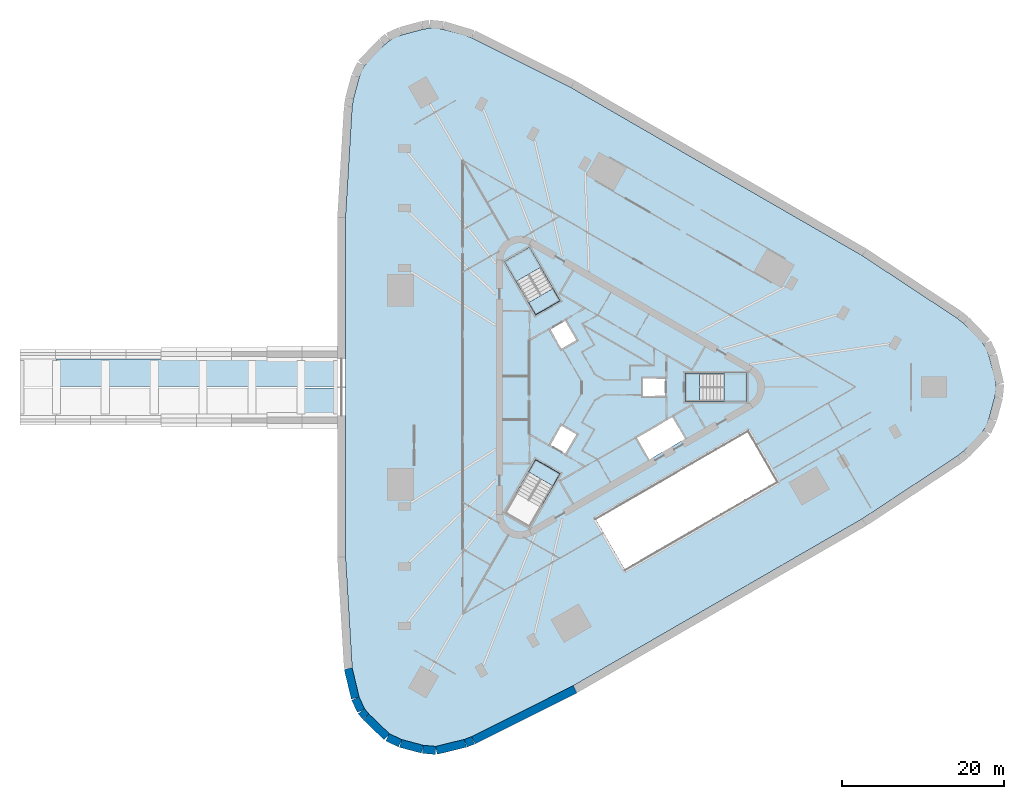
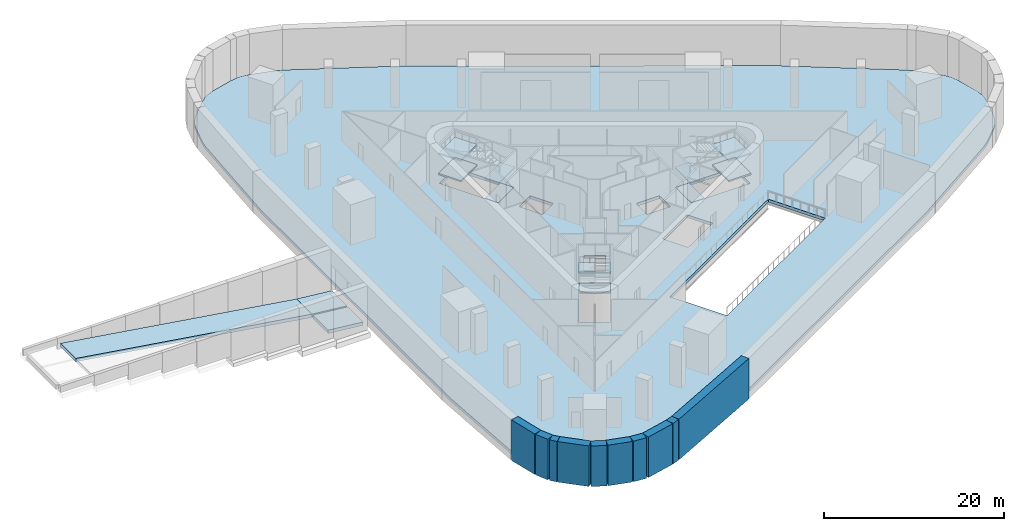
# One storey, part 2 of 13: 14 slabs, 10 walls, 3 elements without a shape of their own.
"""IFC4 building model written with IfcOpenShell, lengths in metres."""

import ifcopenshell
import ifcopenshell.guid

model = None  # the IFC model being written
_history = None  # IfcOwnerHistory: only IFC2X3 demands one
_inside = {}  # id of a spatial element -> (the spatial element, [elements in it])
_under = {}  # id of a project, library or spatial element -> (it, [spatial elements below it])
_declared = {}  # id of a project -> (the project, [libraries it declares])
_typed = {}  # id of a type object -> (the type object, [elements of that type])
_made_of = {}  # id of a material, layer set ... -> (it, [elements and type objects made of it])


def new_model(schema):
    """Start an empty IFC model of exactly this schema.

    Asked for "IFC4X3", IfcOpenShell would pick the latest addendum, in which some entities
    have other attributes; the version numbers below select the first issue.
    IFC2X3 requires an IfcOwnerHistory on every rooted entity: one is made here for all.
    """
    global model, _history
    if schema == "IFC4X3":
        model = ifcopenshell.file(schema_version=(4, 3, 0, 0))
    else:
        model = ifcopenshell.file(schema=schema)
    _inside.clear()
    _under.clear()
    _declared.clear()
    _typed.clear()
    _made_of.clear()
    _history = None
    if model.schema == "IFC2X3":
        org = make("IfcOrganization", Name="unknown")
        user = make(
            "IfcPersonAndOrganization",
            ThePerson=make("IfcPerson", FamilyName="unknown"),
            TheOrganization=org,
        )
        app = make(
            "IfcApplication",
            ApplicationDeveloper=org,
            Version="unknown",
            ApplicationFullName="unknown",
            ApplicationIdentifier="unknown",
        )
        _history = make(
            "IfcOwnerHistory",
            OwningUser=user,
            OwningApplication=app,
            ChangeAction="ADDED",
            CreationDate=0,
        )
    return model


def make(cls, **values):
    """One entity of the class cls with the attributes given. An attribute that is None is left unset."""
    return model.create_entity(
        cls, **{name: value for name, value in values.items() if value is not None}
    )


def rooted(cls, **values):
    """An entity with a GlobalId (a new one), such as an element, a storey or a relation."""
    return make(cls, GlobalId=ifcopenshell.guid.new(), OwnerHistory=_history, **values)


def si_unit(unit_type, name, prefix=None):
    """IfcSIUnit, for example si_unit("LENGTHUNIT", "METRE", prefix="MILLI")."""
    return make("IfcSIUnit", UnitType=unit_type, Prefix=prefix, Name=name)


def assignment(units):
    """IfcUnitAssignment: the units of a project."""
    return None if units is None else make("IfcUnitAssignment", Units=units)


def point(xyz):
    """IfcCartesianPoint."""
    return None if xyz is None else make("IfcCartesianPoint", Coordinates=xyz)


def direction(xyz):
    """IfcDirection."""
    return None if xyz is None else make("IfcDirection", DirectionRatios=xyz)


def frame(location, z_axis=None, x_axis=None):
    """IfcAxis2Placement3D, a coordinate frame: its origin and axes. An axis left out is left unset."""
    return make(
        "IfcAxis2Placement3D",
        Location=point(location),
        Axis=direction(z_axis),
        RefDirection=direction(x_axis),
    )


def frame_2d(location, x_axis=None):
    """IfcAxis2Placement2D, a coordinate frame in the plane: its origin and x axis."""
    return make(
        "IfcAxis2Placement2D", Location=point(location), RefDirection=direction(x_axis)
    )


def origin():
    """The frame at (0, 0, 0) with its axes left unset."""
    return frame((0.0, 0.0, 0.0))


def place(relative_to, where):
    """IfcLocalPlacement: puts the frame where relative to a parent placement (None: the world)."""
    return make(
        "IfcLocalPlacement", PlacementRelTo=relative_to, RelativePlacement=where
    )


def context(
    kind, dimensions, precision=None, world=None, true_north=None, identifier=None
):
    """IfcGeometricRepresentationContext, for example the 3D "Model" context."""
    return make(
        "IfcGeometricRepresentationContext",
        ContextIdentifier=identifier,
        ContextType=kind,
        CoordinateSpaceDimension=dimensions,
        Precision=precision,
        WorldCoordinateSystem=world,
        TrueNorth=true_north,
    )


def subcontext(parent, identifier, kind, view, scale=None):
    """IfcGeometricRepresentationSubContext, for example "Body" below "Model"."""
    return make(
        "IfcGeometricRepresentationSubContext",
        ContextIdentifier=identifier,
        ContextType=kind,
        ParentContext=parent,
        TargetScale=scale,
        TargetView=view,
    )


def project(units=None, contexts=None):
    """IfcProject with its units and contexts."""
    return rooted(
        "IfcProject",
        Name="project",
        RepresentationContexts=contexts,
        UnitsInContext=assignment(units),
    )


def spatial(cls, under=None, at=None, **own):
    """A site, building, storey or space (cls), placed at a placement, below another one or the project."""
    s = rooted(cls, ObjectPlacement=at, **own)
    if under is not None:
        _under.setdefault(under.id(), (under, []))[1].append(s)
    return s


def polyline(points):
    """IfcPolyline through the points."""
    return make("IfcPolyline", Points=[point(p) for p in points])


def profile(cls, at=None, kind="AREA", **sizes):
    """A parametric profile (cls). Its sizes go by their IFC names, for example OverallWidth=200.0."""
    return make(cls, ProfileType=kind, Position=at, **sizes)


def rectangle(**sizes):
    """IfcRectangleProfileDef."""
    return profile("IfcRectangleProfileDef", **sizes)


def outline(outer, holes=None, kind="AREA"):
    """IfcArbitraryClosedProfileDef: a profile drawn as a closed curve; with holes, ...WithVoids."""
    if holes is None:
        return make("IfcArbitraryClosedProfileDef", ProfileType=kind, OuterCurve=outer)
    return make(
        "IfcArbitraryProfileDefWithVoids",
        ProfileType=kind,
        OuterCurve=outer,
        InnerCurves=holes,
    )


def extrude(swept, where, along, depth):
    """IfcExtrudedAreaSolid: the profile swept, set in the frame where, extruded along a direction by depth."""
    return make(
        "IfcExtrudedAreaSolid",
        SweptArea=swept,
        Position=where,
        ExtrudedDirection=direction(along),
        Depth=depth,
    )


def shape(context_of_items, identifier, shape_type, items):
    """IfcShapeRepresentation: the items that make up one representation, for example the "Body"."""
    return make(
        "IfcShapeRepresentation",
        ContextOfItems=context_of_items,
        RepresentationIdentifier=identifier,
        RepresentationType=shape_type,
        Items=items,
    )


def material(Name=None, Category=None):
    """IfcMaterial."""
    return make("IfcMaterial", Name=Name, Category=Category)


def layer(
    of_material, thickness, ventilated=None, Name=None, Category=None, Priority=None
):
    """IfcMaterialLayer: one layer of a wall or slab, of a material (None: an air gap)."""
    return make(
        "IfcMaterialLayer",
        Material=of_material,
        LayerThickness=thickness,
        IsVentilated=ventilated,
        Name=Name,
        Category=Category,
        Priority=Priority,
    )


def layer_set(layers, Name=None):
    """IfcMaterialLayerSet."""
    return make("IfcMaterialLayerSet", MaterialLayers=layers, LayerSetName=Name)


def made_of(thing, what):
    """Note that an element or type object is made of a material, layer set ...; save() writes the relation."""
    if what is not None:
        _made_of.setdefault(what.id(), (what, []))[1].append(thing)
    return thing


def type_object(cls, material=None, **own):
    """A type object (cls), such as IfcWallType, which elements share."""
    return made_of(rooted(cls, **own), material)


def element(
    cls,
    number,
    at=None,
    inside=None,
    cuts=None,
    type_object=None,
    material=None,
    context=None,
    identifier="Body",
    shape_type=None,
    held_by="IfcProductDefinitionShape",
    body=None,
    shapes=None,
    **own,
):
    """One element of the class cls, such as IfcWall. Its Tag is "e" and its number.

    at: its placement. inside: the storey or other place that contains it. cuts: it is an
    opening in that element (IfcRelVoidsElement). A single representation is given by context,
    identifier, shape_type and body (its items); several are given by shapes. held_by: the class
    of the entity that holds the representations. save() writes the other relations.
    """
    e = rooted(cls, Tag="e%d" % number, ObjectPlacement=at, **own)
    if body is not None:
        shapes = [shape(context, identifier, shape_type, body)]
    if shapes is not None:
        e.Representation = make(held_by, Representations=shapes)
    if inside is not None:
        _inside.setdefault(inside.id(), (inside, []))[1].append(e)
    if cuts is not None:
        rooted(
            "IfcRelVoidsElement", RelatingBuildingElement=cuts, RelatedOpeningElement=e
        )
    if type_object is not None:
        _typed.setdefault(type_object.id(), (type_object, []))[1].append(e)
    return made_of(e, material)


def aggregate(whole, parts):
    """IfcRelAggregates: a whole, such as a stair, and the parts it consists of."""
    return rooted("IfcRelAggregates", RelatingObject=whole, RelatedObjects=parts)


def save(model, path):
    """Write the relations noted so far, then the file.

    IfcRelAggregates (storeys below a building ...), IfcRelContainedInSpatialStructure (elements
    in a storey), IfcRelDefinesByType, IfcRelAssociatesMaterial and IfcRelDeclares: one each for
    every whole, place, type object, material and project.
    """
    for whole, parts in _under.values():
        aggregate(whole, parts)
    for where, things in _inside.values():
        rooted(
            "IfcRelContainedInSpatialStructure",
            RelatedElements=things,
            RelatingStructure=where,
        )
    for kind, things in _typed.values():
        rooted("IfcRelDefinesByType", RelatedObjects=things, RelatingType=kind)
    for what, things in _made_of.values():
        rooted("IfcRelAssociatesMaterial", RelatedObjects=things, RelatingMaterial=what)
    for by, libraries in _declared.values():
        rooted("IfcRelDeclares", RelatingContext=by, RelatedDefinitions=libraries)
    model.write(path)


model = new_model("IFC4")

# Units and contexts
model_context = context("Model", 3, precision=1e-05, world=origin(), true_north=direction((0.0, 1.0)))
body_context = subcontext(model_context, "Body", "Model", "MODEL_VIEW")
ifc_project = project(units=[si_unit("LENGTHUNIT", "METRE"), si_unit("AREAUNIT", "SQUARE_METRE"), si_unit("VOLUMEUNIT", "CUBIC_METRE"), si_unit("PLANEANGLEUNIT", "RADIAN"), si_unit("MASSUNIT", "GRAM", prefix="KILO")], contexts=[model_context])

# Site, building, storey
site_placement = place(None, origin())
site = spatial("IfcSite", under=ifc_project, at=site_placement, CompositionType="ELEMENT")
building_placement = place(site_placement, origin())
building = spatial("IfcBuilding", under=site, at=building_placement, Name="Tanit Gate Tower", CompositionType="ELEMENT")
storey_placement = place(building_placement, frame((0.0, 0.0, -5.5)))
storey = spatial("IfcBuildingStorey", under=building, at=storey_placement, Name="B1", CompositionType="ELEMENT", Elevation=-5.5)

# Slab
ifc_material_1 = material(Name="Concrete C35/45", Category="concrete")
ifc_layer_1 = layer(ifc_material_1, 0.39990234375)
ifc_layer_set_1 = layer_set([ifc_layer_1], Name="BASEMENT FLOOR SLAB 400 C35/45")
slab_type_1 = type_object("IfcSlabType", Name="BASEMENT FLOOR SLAB 400 C35/45", PredefinedType="FLOOR", material=ifc_layer_set_1)
slab_1_placement = place(storey_placement, frame((0.0, 0.0, -0.39990234375)))
element("IfcSlab", 1, at=slab_1_placement, inside=storey, type_object=slab_type_1, Name="FLOOR SLAB B1", PredefinedType="FLOOR", context=body_context, shape_type="SweptSolid", body=[
    extrude(outline(polyline([(48.277587890625, 5.29541015625), (48.664794921875, 4.6123046875), (48.9326171875, 3.871337890625), (49.64599609375, 1.209716796875), (49.792236328125, 0.351318359375), (49.792236328125, -0.352294921875), (49.655029296875, -1.16845703125), (48.9326171875, -3.87158203125), (48.664794921875, -4.6123046875), (48.277587890625, -5.29541015625), (47.72412109375, -5.962646484375), (45.780517578125, -7.906494140625), (45.03955078125, -8.513916015625), (33.25537109375, -16.280517578125), (-2.526123046875, -36.9423828125), (-15.103271484375, -43.243408203125), (-15.997802734375, -43.58544921875), (-18.69873046875, -44.311767578125), (-19.556640625, -44.4580078125), (-20.260009765625, -44.4580078125), (-21.076416015625, -44.32080078125), (-23.775634765625, -43.599365234375), (-24.58837890625, -43.29833984375), (-25.26513671875, -42.900390625), (-25.867919921875, -42.392578125), (-27.816162109375, -40.444091796875), (-28.36962890625, -39.77685546875), (-28.7568359375, -39.09375), (-29.02490234375, -38.352783203125), (-29.7373046875, -35.69384765625), (-29.89306640625, -34.748046875), (-30.71728515625, -20.98681640625), (-30.719970703125, 20.98779296875), (-29.8984375, 34.7001953125), (-29.737060546875, 35.694580078125), (-29.01220703125, 38.39306640625), (-28.75732421875, 39.0927734375), (-28.36962890625, 39.77685546875), (-27.816162109375, 40.444091796875), (-25.87060546875, 42.389892578125), (-25.203369140625, 42.943115234375), (-24.520263671875, 43.330322265625), (-23.779296875, 43.598388671875), (-21.117431640625, 44.3115234375), (-20.262939453125, 44.457275390625), (-19.477783203125, 44.451171875), (-18.701904296875, 44.3125), (-16.044189453125, 43.6005859375), (-15.101318359375, 43.242431640625), (-2.790283203125, 37.081298828125), (33.256103515625, 16.283447265625), (45.00048828125, 8.54248046875), (45.78125, 7.905517578125), (47.72412109375, 5.962646484375), (48.277587890625, 5.29541015625)]), holes=[polyline([(19.12451171875, -5.412841796875), (22.774658203125, -11.73486328125), (3.897216796875, -22.6337890625), (0.2470703125, -16.311767578125), (19.12451171875, -5.412841796875)]), polyline([(11.3701171875, -1.72998046875), (11.3701171875, 1.72998046875), (18.929931640625, 1.72998046875), (18.929931640625, -1.72998046875), (11.3701171875, -1.72998046875)]), polyline([(6.76904296875, -9.0244140625), (5.14404296875, -6.2099609375), (9.82080078125, -3.510009765625), (11.44580078125, -6.324462890625), (6.76904296875, -9.0244140625)]), polyline([(6.0, -1.199951171875), (6.0, 1.199951171875), (9.0, 1.199951171875), (9.0, -1.199951171875), (6.0, -1.199951171875)]), polyline([(-4.039306640625, 4.59619140625), (-5.539306640625, 7.194091796875), (-3.460693359375, 8.394287109375), (-1.960693359375, 5.796142578125), (-4.039306640625, 4.59619140625)]), polyline([(-4.039306640625, -4.59619140625), (-1.960693359375, -5.796142578125), (-3.460693359375, -8.394287109375), (-5.539306640625, -7.194091796875), (-4.039306640625, -4.59619140625)]), polyline([(-7.18310546875, 8.981689453125), (-10.963134765625, 15.52880859375), (-7.966796875, 17.2587890625), (-4.186767578125, 10.711669921875), (-7.18310546875, 8.981689453125)]), polyline([(-7.18310546875, -8.981689453125), (-4.186767578125, -10.711669921875), (-7.966796875, -17.2587890625), (-10.963134765625, -15.52880859375), (-7.18310546875, -8.981689453125)])]), origin(), (0.0, 0.0, 1.0), 0.39990234375),
])

# Stair, slabs
ifc_material_2 = material(Name="Concrete C40/50", Category="concrete")
stair_type = type_object("IfcStairType", Name="INT-STAIR-EXIT", PredefinedType="HALF_TURN_STAIR", material=ifc_material_2)
stair_1_placement = place(storey_placement, origin())
stair_1 = element("IfcStair", 2, at=stair_1_placement, inside=storey, type_object=stair_type, Name="B1 STAIR S1", PredefinedType="HALF_TURN_STAIR")
ifc_material_3 = material(Name="Concrete C40/50", Category="concrete")
ifc_layer_2 = layer(ifc_material_3, 0.199951171875)
ifc_layer_set_2 = layer_set([ifc_layer_2], Name="INT-STAIR-LANDING")
slab_type_2 = type_object("IfcSlabType", Name="INT-STAIR-LANDING", PredefinedType="LANDING", material=ifc_layer_set_2)
slab_2_placement = place(storey_placement, frame((0.0, 0.0, 1.175048828125)))
slab_2 = element("IfcSlab", 3, at=slab_2_placement, type_object=slab_type_2, Name="S1 landing 1", PredefinedType="LANDING", context=body_context, shape_type="SweptSolid", body=[
    extrude(outline(polyline([(16.135986328125, -1.800048828125), (19.0, -1.800048828125), (19.0, 1.800048828125), (16.135986328125, 1.800048828125), (16.135986328125, -1.800048828125)])), origin(), (0.0, 0.0, 1.0), 0.199951171875),
])
slab_3_placement = place(storey_placement, frame((0.0, 0.0, 2.550048828125)))
slab_3 = element("IfcSlab", 4, at=slab_3_placement, type_object=slab_type_2, Name="S1 landing 2", PredefinedType="LANDING", context=body_context, shape_type="SweptSolid", body=[
    extrude(outline(polyline([(11.300048828125, -1.800048828125), (13.10498046875, -1.800048828125), (13.10498046875, 1.800048828125), (11.300048828125, 1.800048828125), (11.300048828125, -1.800048828125)])), origin(), (0.0, 0.0, 1.0), 0.199951171875),
])
slab_4_placement = place(storey_placement, frame((0.0, 0.0, 3.925048828125)))
slab_4 = element("IfcSlab", 5, at=slab_4_placement, type_object=slab_type_2, Name="S1 landing 3", PredefinedType="LANDING", context=body_context, shape_type="SweptSolid", body=[
    extrude(outline(polyline([(16.135986328125, -1.800048828125), (19.0, -1.800048828125), (19.0, 1.800048828125), (16.135986328125, 1.800048828125), (16.135986328125, -1.800048828125)])), origin(), (0.0, 0.0, 1.0), 0.199951171875),
])
aggregate(stair_1, [slab_2, slab_3, slab_4])

# Slab
slab_5_placement = place(storey_placement, frame((0.0, 0.0, -0.199951171875)))
element("IfcSlab", 6, at=slab_5_placement, inside=storey, type_object=slab_type_2, Name="S1 floor landing", PredefinedType="LANDING", context=body_context, shape_type="SweptSolid", body=[
    extrude(outline(polyline([(11.3798828125, -1.719970703125), (13.10498046875, -1.719970703125), (13.10498046875, 1.719970703125), (11.3798828125, 1.719970703125), (11.3798828125, -1.719970703125)])), origin(), (0.0, 0.0, 1.0), 0.199951171875),
])

# Stair, slabs
stair_2_placement = place(storey_placement, origin())
stair_2 = element("IfcStair", 7, at=stair_2_placement, inside=storey, type_object=stair_type, Name="B1 STAIR S2", PredefinedType="HALF_TURN_STAIR")
slab_6_placement = place(storey_placement, frame((0.0, 0.0, 1.175048828125)))
slab_6 = element("IfcSlab", 8, at=slab_6_placement, type_object=slab_type_2, Name="S2 landing 1", PredefinedType="LANDING", context=body_context, shape_type="SweptSolid", body=[
    extrude(outline(polyline([(-6.5078125, 14.871826171875), (-7.941162109375, 17.3544921875), (-11.058837890625, 15.554443359375), (-9.62548828125, 13.07177734375), (-6.5078125, 14.871826171875)])), origin(), (0.0, 0.0, 1.0), 0.199951171875),
])
slab_7_placement = place(storey_placement, frame((0.0, 0.0, 2.550048828125)))
slab_7 = element("IfcSlab", 9, at=slab_7_placement, type_object=slab_type_2, Name="S2 landing 2", PredefinedType="LANDING", context=body_context, shape_type="SweptSolid", body=[
    extrude(outline(polyline([(-4.091064453125, 10.68603515625), (-4.9931640625, 12.248291015625), (-8.11083984375, 10.448486328125), (-7.208740234375, 8.885986328125), (-4.091064453125, 10.68603515625)])), origin(), (0.0, 0.0, 1.0), 0.199951171875),
])
slab_8_placement = place(storey_placement, frame((0.0, 0.0, 3.925048828125)))
slab_8 = element("IfcSlab", 10, at=slab_8_placement, type_object=slab_type_2, Name="S2 landing 3", PredefinedType="LANDING", context=body_context, shape_type="SweptSolid", body=[
    extrude(outline(polyline([(-6.5078125, 14.871826171875), (-7.941162109375, 17.3544921875), (-11.058837890625, 15.554443359375), (-9.62548828125, 13.07177734375), (-6.5078125, 14.871826171875)])), origin(), (0.0, 0.0, 1.0), 0.199951171875),
])
aggregate(stair_2, [slab_6, slab_7, slab_8])

# Slab
slab_9_placement = place(storey_placement, frame((0.0, 0.0, -0.199951171875)))
element("IfcSlab", 11, at=slab_9_placement, inside=storey, type_object=slab_type_2, Name="S2 floor landing", PredefinedType="LANDING", context=body_context, shape_type="SweptSolid", body=[
    extrude(outline(polyline([(-4.200439453125, 10.71533203125), (-5.0625, 12.20849609375), (-8.04150390625, 10.48828125), (-7.179443359375, 8.995361328125), (-4.200439453125, 10.71533203125)])), origin(), (0.0, 0.0, 1.0), 0.199951171875),
])

# Stair, slab
stair_3_placement = place(storey_placement, origin())
stair_3 = element("IfcStair", 12, at=stair_3_placement, inside=storey, type_object=stair_type, Name="B1 STAIR S3", PredefinedType="HALF_TURN_STAIR")
slab_10_placement = place(storey_placement, frame((0.0, 0.0, 2.550048828125)))
slab_10 = element("IfcSlab", 13, at=slab_10_placement, type_object=slab_type_2, Name="S3 landing 2", PredefinedType="LANDING", context=body_context, shape_type="SweptSolid", body=[
    extrude(outline(polyline([(-7.208740234375, -8.885986328125), (-8.111328125, -10.44921875), (-4.99365234375, -12.249267578125), (-4.091064453125, -10.68603515625), (-7.208740234375, -8.885986328125)])), origin(), (0.0, 0.0, 1.0), 0.199951171875),
])
aggregate(stair_3, [slab_10])

# Slabs
slab_11_placement = place(storey_placement, frame((0.0, 0.0, -0.199951171875)))
element("IfcSlab", 14, at=slab_11_placement, inside=storey, type_object=slab_type_2, Name="S3 floor landing", PredefinedType="LANDING", context=body_context, shape_type="SweptSolid", body=[
    extrude(outline(polyline([(-7.179443359375, -8.995361328125), (-8.0419921875, -10.4892578125), (-5.06298828125, -12.209228515625), (-4.200439453125, -10.71533203125), (-7.179443359375, -8.995361328125)])), origin(), (0.0, 0.0, 1.0), 0.199951171875),
])
ifc_material_4 = material(Name="Concrete C40/50", Category="concrete")
ifc_layer_3 = layer(ifc_material_4, 0.449951171875)
ifc_layer_set_3 = layer_set([ifc_layer_3], Name="VEHICLE RAMP FLIGHT 450 C40/50")
slab_type_3 = type_object("IfcSlabType", Name="VEHICLE RAMP FLIGHT 450 C40/50", PredefinedType="USERDEFINED", material=ifc_layer_set_3)
slab_12_placement = place(storey_placement, frame((-31.719970703125, 0.10009765625, 0.0), z_axis=(0.100561854168, 0.0, 0.994930808391), x_axis=(-0.994930808391, 0.0, 0.100561854168)))
element("IfcSlab", 15, at=slab_12_placement, inside=storey, type_object=slab_type_3, Name="VEHICLE RAMP R1-OUT FLIGHT 1", ObjectType="VEHICLE RAMP", PredefinedType="USERDEFINED", context=body_context, shape_type="SweptSolid", body=[
    extrude(outline(polyline([(0.0, 0.0), (2.2614515176672905, 0.0), (4.522927586568509, 0.0), (4.522927586568509, -1.699951171875), (4.522927586568509, -3.39990234375), (2.2614515176672905, -3.39990234375), (0.0, -3.39990234375), (0.0, -1.699951171875), (0.0, 0.0)])), origin(), (-0.100561854168, 0.0, -0.994930808391), 0.452392578125),
])
slab_13_placement = place(storey_placement, frame((-36.219970703125, 0.10009765625, 0.454833984375), z_axis=(0.149883542936, 0.0, 0.988703658108), x_axis=(-0.988703658108, 0.0, 0.149883542936)))
element("IfcSlab", 16, at=slab_13_placement, inside=storey, type_object=slab_type_3, Name="VEHICLE RAMP R1-OUT FLIGHT 2", ObjectType="VEHICLE RAMP", PredefinedType="USERDEFINED", context=body_context, shape_type="SweptSolid", body=[
    extrude(outline(polyline([(0.0, 0.0), (15.313116172137766, 0.0), (30.625990961546503, 0.0), (30.625990961546503, -1.6999511718749998), (30.625990961546503, -3.3999023437499996), (15.313116172137766, -3.3999023437499996), (0.0, -3.3999023437499996), (0.0, -1.6999511718749998), (0.0, 0.0)])), origin(), (-0.149883542936, 0.0, -0.988703658108), 0.455078125),
])
slab_14_placement = place(storey_placement, frame((-31.719970703125, -3.5, 0.0), z_axis=(0.100561854168, 0.0, 0.994930808391), x_axis=(-0.994930808391, 0.0, 0.100561854168)))
element("IfcSlab", 17, at=slab_14_placement, inside=storey, type_object=slab_type_3, Name="VEHICLE RAMP R1-IN FLIGHT 1", ObjectType="VEHICLE RAMP", PredefinedType="USERDEFINED", context=body_context, shape_type="SweptSolid", body=[
    extrude(outline(polyline([(0.0, 0.0), (2.2614515176672905, 0.0), (4.522927586568509, 0.0), (4.522927586568509, -1.699951171875), (4.522927586568509, -3.39990234375), (2.2614515176672905, -3.39990234375), (0.0, -3.39990234375), (0.0, -1.699951171875), (0.0, 0.0)])), origin(), (-0.100561854168, 0.0, -0.994930808391), 0.452392578125),
])

# Walls
ifc_material_5 = material(Name="Concrete C35/45", Category="concrete")
ifc_layer_4 = layer(ifc_material_5, 1.0)
ifc_layer_set_4 = layer_set([ifc_layer_4], Name="DIAPHRAGM WALL 1000 C35/45")
wall_type = type_object("IfcWallType", Name="DIAPHRAGM WALL 1000 C35/45", PredefinedType="SHEAR", material=ifc_layer_set_4)
wall_1_placement = place(storey_placement, frame((-2.295654296875, -37.385986328125, 0.0), z_axis=(0.0, 0.0, 1.0), x_axis=(-0.894073358408, -0.447920561914, 0.0)))
element("IfcWall", 18, at=wall_1_placement, inside=storey, type_object=wall_type, Name="DIAPHRAGM WALL", PredefinedType="SHEAR", context=body_context, shape_type="SweptSolid", body=[
    extrude(rectangle(XDim=14.0869140625, YDim=1.0, at=frame_2d((7.04345703125, 0.0))), origin(), (0.0, 0.0, 1.0), 5.5),
])
wall_2_placement = place(storey_placement, frame((-14.9130859375, -43.705810546875, 0.0), z_axis=(0.0, 0.0, 1.0), x_axis=(-0.934037171443, -0.35717581436, 0.0)))
element("IfcWall", 19, at=wall_2_placement, inside=storey, type_object=wall_type, Name="DIAPHRAGM WALL", PredefinedType="SHEAR", context=body_context, shape_type="SweptSolid", body=[
    extrude(rectangle(XDim=0.980224609375, YDim=1.0, at=frame_2d((0.490234375, 0.0))), origin(), (0.0, 0.0, 1.0), 5.5),
])
wall_3_placement = place(storey_placement, frame((-15.8583984375, -44.065185546875, 0.0), z_axis=(0.0, 0.0, 1.0), x_axis=(-0.971462854696, -0.23719174089, 0.0)))
element("IfcWall", 20, at=wall_3_placement, inside=storey, type_object=wall_type, Name="DIAPHRAGM WALL", PredefinedType="SHEAR", context=body_context, shape_type="SweptSolid", body=[
    extrude(rectangle(XDim=3.721923828125, YDim=1.0, at=frame_2d((1.86083984375, 0.0))), origin(), (0.0, 0.0, 1.0), 5.5),
])
wall_4_placement = place(storey_placement, frame((-19.5556640625, -44.954345703125, 0.0), z_axis=(0.0, 0.0, 1.0), x_axis=(-0.996078576516, 0.088472986872, 0.0)))
element("IfcWall", 21, at=wall_4_placement, inside=storey, type_object=wall_type, Name="DIAPHRAGM WALL", PredefinedType="SHEAR", context=body_context, shape_type="SweptSolid", body=[
    extrude(rectangle(XDim=1.611572265625, YDim=1.0, at=frame_2d((0.8056640625, 0.0))), origin(), (0.0, 0.0, 1.0), 5.5),
])
wall_5_placement = place(storey_placement, frame((-21.203369140625, -44.80419921875, 0.0), z_axis=(0.0, 0.0, 1.0), x_axis=(-0.966098633902, 0.258173254954, 0.0)))
element("IfcWall", 22, at=wall_5_placement, inside=storey, type_object=wall_type, Name="DIAPHRAGM WALL", PredefinedType="SHEAR", context=body_context, shape_type="SweptSolid", body=[
    extrude(rectangle(XDim=2.797119140625, YDim=1.0, at=frame_2d((1.3984375, 0.0))), origin(), (0.0, 0.0, 1.0), 5.5),
])
wall_6_placement = place(storey_placement, frame((-23.94775390625, -44.06689453125, 0.0), z_axis=(0.0, 0.0, 1.0), x_axis=(-0.904675187163, 0.42610187248, 0.0)))
element("IfcWall", 23, at=wall_6_placement, inside=storey, type_object=wall_type, Name="DIAPHRAGM WALL", PredefinedType="SHEAR", context=body_context, shape_type="SweptSolid", body=[
    extrude(rectangle(XDim=1.735595703125, YDim=1.0, at=frame_2d((0.86767578125, 0.0))), origin(), (0.0, 0.0, 1.0), 5.5),
])
wall_7_placement = place(storey_placement, frame((-25.584716796875, -43.281494140625, 0.0), z_axis=(0.0, 0.0, 1.0), x_axis=(-0.720994904491, 0.692940363738, 0.0)))
element("IfcWall", 24, at=wall_7_placement, inside=storey, type_object=wall_type, Name="DIAPHRAGM WALL", PredefinedType="SHEAR", context=body_context, shape_type="SweptSolid", body=[
    extrude(rectangle(XDim=3.593994140625, YDim=1.0, at=frame_2d((1.796875, 0.0))), origin(), (0.0, 0.0, 1.0), 5.5),
])
wall_8_placement = place(storey_placement, frame((-28.1953125, -40.770263671875, 0.0), z_axis=(0.0, 0.0, 1.0), x_axis=(-0.638451148032, 0.769662349071, 0.0)))
element("IfcWall", 25, at=wall_8_placement, inside=storey, type_object=wall_type, Name="DIAPHRAGM WALL", PredefinedType="SHEAR", context=body_context, shape_type="SweptSolid", body=[
    extrude(rectangle(XDim=0.887451171875, YDim=1.0, at=frame_2d((0.44384765625, 0.0))), origin(), (0.0, 0.0, 1.0), 5.5),
])
wall_9_placement = place(storey_placement, frame((-28.79638671875, -40.0322265625, 0.0), z_axis=(0.0, 0.0, 1.0), x_axis=(-0.419048850016, 0.907963689417, 0.0)))
element("IfcWall", 26, at=wall_9_placement, inside=storey, type_object=wall_type, Name="DIAPHRAGM WALL", PredefinedType="SHEAR", context=body_context, shape_type="SweptSolid", body=[
    extrude(rectangle(XDim=1.659912109375, YDim=1.0, at=frame_2d((0.830078125, 0.0))), origin(), (0.0, 0.0, 1.0), 5.5),
])
wall_10_placement = place(storey_placement, frame((-29.508056640625, -38.478759765625, 0.0), z_axis=(0.0, 0.0, 1.0), x_axis=(-0.233520396998, 0.972351903472, 0.0)))
element("IfcWall", 27, at=wall_10_placement, inside=storey, type_object=wall_type, Name="DIAPHRAGM WALL", PredefinedType="SHEAR", context=body_context, shape_type="SweptSolid", body=[
    extrude(rectangle(XDim=3.757568359375, YDim=1.0, at=frame_2d((1.87890625, 0.0))), origin(), (0.0, 0.0, 1.0), 5.5),
])

save(model, "model.ifc")
